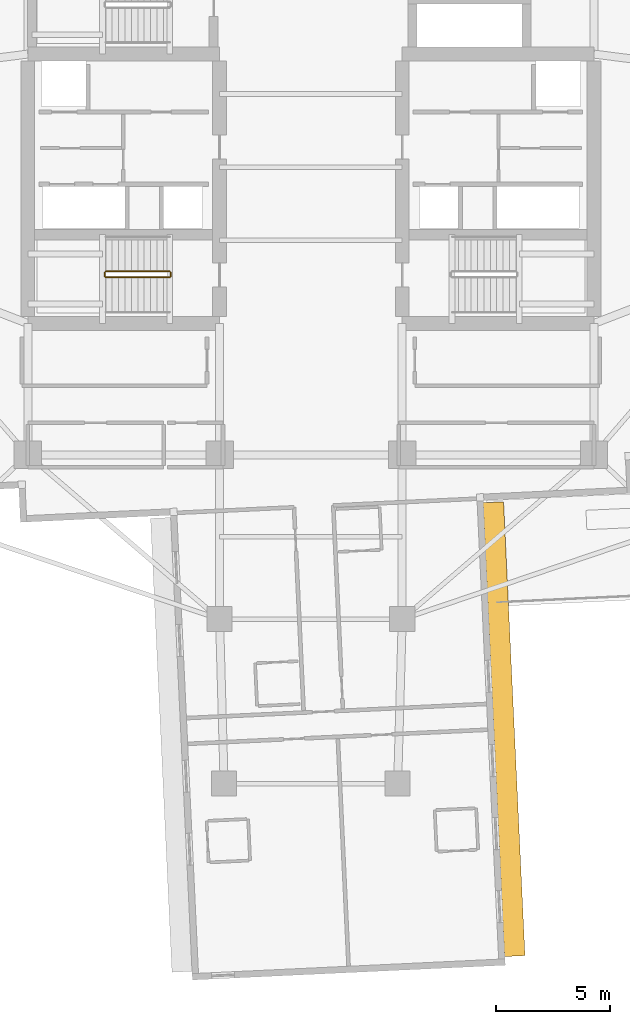
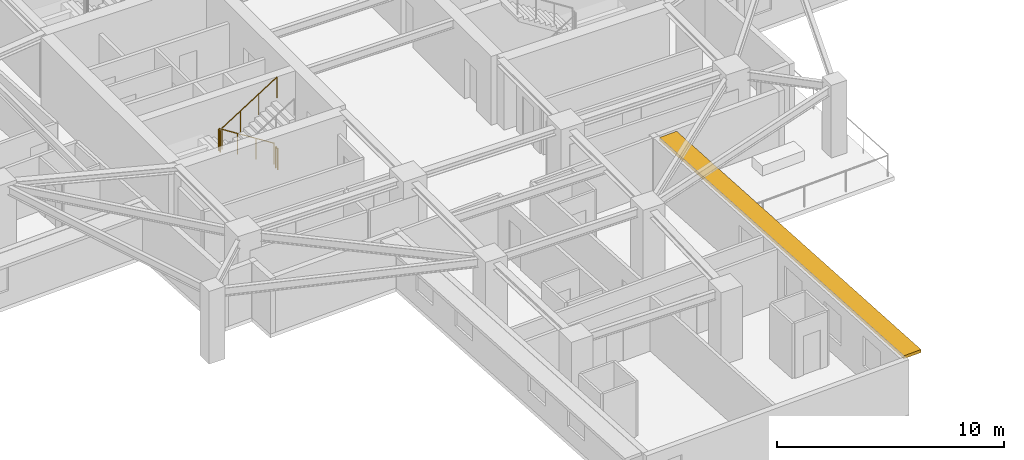
# One storey, part 11 of 14: 4 railings, 1 shading device.
"""IFC4 building model written with IfcOpenShell, lengths in metres."""

from ifc_helpers import new_model, si_unit, direction, frame, origin, origin_2d, place, context, subcontext, project, spatial, rectangle, circle, extrude, material, layer, layer_set, type_object, element, save


model = new_model("IFC4")

# Units and contexts
model_context = context("Model", 3, precision=1e-05, world=origin(), true_north=direction((0.0, 1.0)))
body_context = subcontext(model_context, "Body", "Model", "MODEL_VIEW")
ifc_project = project(units=[si_unit("LENGTHUNIT", "METRE"), si_unit("AREAUNIT", "SQUARE_METRE"), si_unit("VOLUMEUNIT", "CUBIC_METRE"), si_unit("PLANEANGLEUNIT", "RADIAN"), si_unit("MASSUNIT", "GRAM", prefix="KILO")], contexts=[model_context])

# Site, building, storey
site_placement = place(None, origin())
site = spatial("IfcSite", under=ifc_project, at=site_placement, CompositionType="ELEMENT")
building_placement = place(site_placement, origin())
building = spatial("IfcBuilding", under=site, at=building_placement, Name="Qingluan Cross Belvedere", CompositionType="ELEMENT")
storey_placement = place(building_placement, frame((0.0, 0.0, 116.39990234375)))
storey = spatial("IfcBuildingStorey", under=building, at=storey_placement, Name="L29", CompositionType="ELEMENT", Elevation=116.39990234375)

# Shading device
ifc_material_1 = material(Name="Precast concrete C45", Category="concrete")
ifc_layer = layer(ifc_material_1, 0.159912109375, Name="ConcreteSunshadeBand_900")
ifc_layer_set = layer_set([ifc_layer], Name="Precast concrete C45")
shading_device_type = type_object("IfcShadingDeviceType", Name="ConcreteSunshadeBand_900", PredefinedType="USERDEFINED", material=ifc_layer_set)
shading_device_placement = place(storey_placement, frame((8.458984375, -24.618896484375, 2.7900390625), z_axis=(0.0, 0.0, 1.0), x_axis=(-0.047104684445, 0.998889958255, 0.0)))
element("IfcShadingDevice", 1, at=shading_device_placement, inside=storey, type_object=shading_device_type, Name="Concrete SUNSHADE L29-SB", ObjectType="SUNSHADE", PredefinedType="USERDEFINED", context=body_context, shape_type="SweptSolid", body=[
    extrude(rectangle(XDim=19.89990234375, YDim=0.89990234375, at=origin_2d()), origin(), (0.0, 0.0, 1.0), 0.159912109375),
])

# Railings
ifc_material_2 = material(Name="Painted steel stair well guard", Category="steel")
railing_type = type_object("IfcRailingType", Name="StairWellGuard_1150", PredefinedType="BALUSTRADE", material=ifc_material_2)
railing_1_placement = place(storey_placement, frame((-6.179931640625, -4.570068359375, 0.177490234375)))
element("IfcRailing", 2, at=railing_1_placement, inside=storey, type_object=railing_type, Name="L29 ST1 stair guard 1", PredefinedType="BALUSTRADE", context=body_context, shape_type="SweptSolid", body=[
    extrude(circle(Radius=0.02392578125, at=origin_2d()), frame((0.0, 0.0, 1.1259765625), z_axis=(-0.844908973607, 0.0, 0.534910110503), x_axis=(0.0, -1.0, 0.0)), (0.0, 0.0, 1.0), 3.31396484375),
    extrude(circle(Radius=0.02099609375, at=origin_2d()), origin(), (0.0, 0.0, 1.0), 1.101806640625),
    extrude(circle(Radius=0.02099609375, at=origin_2d()), frame((-0.933349609375, 0.0, 0.5908203125)), (0.0, 0.0, 1.0), 1.101806640625),
    extrude(circle(Radius=0.02099609375, at=origin_2d()), frame((-1.86669921875, 0.0, 1.181884765625)), (0.0, 0.0, 1.0), 1.101806640625),
    extrude(circle(Radius=0.02099609375, at=origin_2d()), frame((-2.800048828125, 0.0, 1.772705078125)), (0.0, 0.0, 1.0), 1.101806640625),
])
railing_2_placement = place(storey_placement, frame((-9.030029296875, -4.6201171875, 1.9501953125)))
element("IfcRailing", 3, at=railing_2_placement, inside=storey, type_object=railing_type, Name="L29 ST1 stair guard 2", PredefinedType="BALUSTRADE", context=body_context, shape_type="SweptSolid", body=[
    extrude(circle(Radius=0.02392578125, at=origin_2d()), frame((0.0, 0.0, 1.1259765625), z_axis=(0.0, -1.0, 0.0), x_axis=(1.0, 0.0, 0.0)), (0.0, 0.0, 1.0), 0.159912109375),
    extrude(circle(Radius=0.02099609375, at=origin_2d()), origin(), (0.0, 0.0, 1.0), 1.101806640625),
    extrude(circle(Radius=0.02099609375, at=origin_2d()), frame((0.0, -0.159912109375, 0.0)), (0.0, 0.0, 1.0), 1.101806640625),
])
railing_3_placement = place(storey_placement, frame((-8.97998046875, -4.830078125, 2.12744140625)))
element("IfcRailing", 4, at=railing_3_placement, inside=storey, type_object=railing_type, Name="L29 ST1 stair guard 3", PredefinedType="BALUSTRADE", context=body_context, shape_type="SweptSolid", body=[
    extrude(circle(Radius=0.02392578125, at=origin_2d()), frame((0.0, 0.0, 1.1259765625), z_axis=(0.844908973607, 0.0, 0.534910110503), x_axis=(0.0, 1.0, 0.0)), (0.0, 0.0, 1.0), 3.31396484375),
    extrude(circle(Radius=0.02099609375, at=origin_2d()), origin(), (0.0, 0.0, 1.0), 1.101806640625),
    extrude(circle(Radius=0.02099609375, at=origin_2d()), frame((0.933349609375, 0.0, 0.5908203125)), (0.0, 0.0, 1.0), 1.101806640625),
    extrude(circle(Radius=0.02099609375, at=origin_2d()), frame((1.86669921875, 0.0, 1.181884765625)), (0.0, 0.0, 1.0), 1.101806640625),
    extrude(circle(Radius=0.02099609375, at=origin_2d()), frame((2.800048828125, 0.0, 1.772705078125)), (0.0, 0.0, 1.0), 1.101806640625),
])
railing_4_placement = place(storey_placement, frame((-6.1298828125, -4.6201171875, 0.0)))
element("IfcRailing", 5, at=railing_4_placement, inside=storey, type_object=railing_type, Name="L29 ST1 stair guard 4", PredefinedType="BALUSTRADE", context=body_context, shape_type="SweptSolid", body=[
    extrude(circle(Radius=0.02392578125, at=origin_2d()), frame((0.0, 0.0, 1.1259765625), z_axis=(0.0, -1.0, 0.0), x_axis=(1.0, 0.0, 0.0)), (0.0, 0.0, 1.0), 0.159912109375),
    extrude(circle(Radius=0.02099609375, at=origin_2d()), origin(), (0.0, 0.0, 1.0), 1.101806640625),
    extrude(circle(Radius=0.02099609375, at=origin_2d()), frame((0.0, -0.159912109375, 0.0)), (0.0, 0.0, 1.0), 1.101806640625),
])

save(model, "model.ifc")
